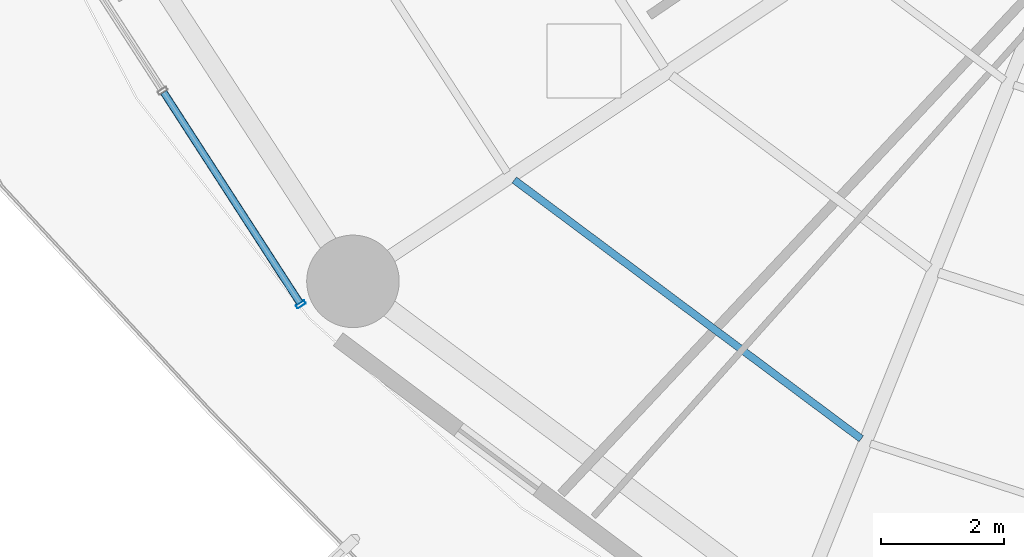
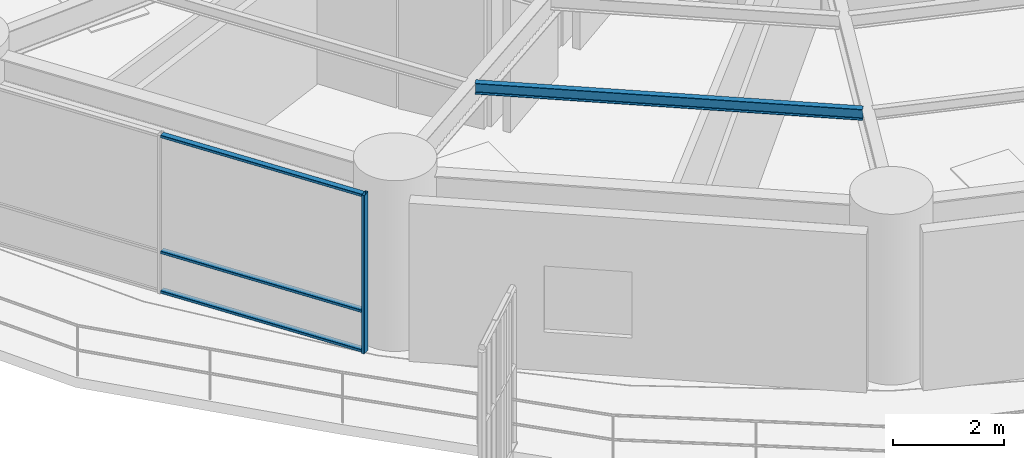
# One storey, part 2 of 34: 4 members, 1 beam, 1 element without a shape of its own.
"""IFC4 building model written with IfcOpenShell, lengths in metres."""

from ifc_helpers import new_model, si_unit, direction, frame, origin, origin_2d, place, context, subcontext, project, spatial, hollow_rectangle, i_section, extrude, material, layer, layer_set, material_profile, profile_set, type_object, element, aggregate, save


model = new_model("IFC4")

# Units and contexts
model_context = context("Model", 3, precision=1e-05, world=origin(), true_north=direction((0.0, 1.0)))
body_context = subcontext(model_context, "Body", "Model", "MODEL_VIEW")
ifc_project = project(units=[si_unit("LENGTHUNIT", "METRE"), si_unit("AREAUNIT", "SQUARE_METRE"), si_unit("VOLUMEUNIT", "CUBIC_METRE"), si_unit("PLANEANGLEUNIT", "RADIAN"), si_unit("MASSUNIT", "GRAM", prefix="KILO")], contexts=[model_context])

# Site, building, storey
site_placement = place(None, origin())
site = spatial("IfcSite", under=ifc_project, at=site_placement, CompositionType="ELEMENT")
building_placement = place(site_placement, origin())
building = spatial("IfcBuilding", under=site, at=building_placement, Name="Kelanora Arch Commons", CompositionType="ELEMENT")
storey_placement = place(building_placement, frame((0.0, 0.0, 30.0)))
storey = spatial("IfcBuildingStorey", under=building, at=storey_placement, Name="L07", CompositionType="ELEMENT", Elevation=30.0)

# Beam
ifc_material_1 = material(Name="Steel S355", Category="steel")
ifc_material_profile_1 = material_profile(ifc_material_1, i_section(OverallWidth=0.1201171875, OverallDepth=0.239990234375, WebThickness=0.006103515625, FlangeThickness=0.009765625, FilletRadius=0.014892578125, at=origin_2d()), Name="IPE240")
ifc_profile_set_1 = profile_set([ifc_material_profile_1], Name="Steel S355")
beam_type = type_object("IfcBeamType", Name="BM-JST-02", PredefinedType="JOIST", material=ifc_profile_set_1)
beam_placement = place(storey_placement, frame((55.87255859375, 44.16650390625, 3.3701171875), z_axis=(0.80149131963, -0.598006408459, 0.0), x_axis=(0.598006408459, 0.80149131963, 0.0)))
element("IfcBeam", 1, at=beam_placement, inside=storey, type_object=beam_type, Name="Secondary Chord Joist BJC-22 L07", PredefinedType="JOIST", context=body_context, shape_type="SweptSolid", body=[
    extrude(i_section(OverallWidth=0.1201171875, OverallDepth=0.239990234375, WebThickness=0.006103515625, FlangeThickness=0.009765625, FilletRadius=0.014892578125, at=origin_2d()), origin(), (0.0, 0.0, 1.0), 7.021240234375),
])

# Curtain wall, members
ifc_material_2 = material(Name="Terracotta ceramic-fritted low-E glass and aluminium", Category="masonry")
ifc_layer = layer(ifc_material_2, 0.159912109375)
ifc_layer_set = layer_set([ifc_layer], Name="Terracotta ceramic-fritted low-E glass and aluminium")
curtain_wall_type = type_object("IfcCurtainWallType", Name="CW-SYS-01", PredefinedType="NOTDEFINED", material=ifc_layer_set)
curtain_wall_placement = place(storey_placement, origin())
curtain_wall = element("IfcCurtainWall", 2, at=curtain_wall_placement, inside=storey, type_object=curtain_wall_type, Name="Unitised Curtain Wall L07-B10", PredefinedType="NOTDEFINED")
ifc_material_3 = material(Name="Powder-coated aluminium terracotta", Category="masonry")
ifc_material_profile_2 = material_profile(ifc_material_3, hollow_rectangle(XDim=0.159912109375, YDim=0.06005859375, WallThickness=0.0048828125, InnerFilletRadius=0.0048828125, OuterFilletRadius=0.010009765625, at=origin_2d()), Name="CWM160x60")
ifc_profile_set_2 = profile_set([ifc_material_profile_2], Name="Powder-coated aluminium terracotta")
member_type_1 = type_object("IfcMemberType", Name="CWM-STD", PredefinedType="MULLION", material=ifc_profile_set_2)
member_1_placement = place(storey_placement, frame((52.41064453125, 42.14697265625, 0.0), z_axis=(0.0, 0.0, 1.0), x_axis=(0.83972982332, 0.543004441812, 0.0)))
member_1 = element("IfcMember", 3, at=member_1_placement, type_object=member_type_1, Name="CW-01 mullion 3", PredefinedType="MULLION", context=body_context, shape_type="SweptSolid", body=[
    extrude(hollow_rectangle(XDim=0.159912109375, YDim=0.06005859375, WallThickness=0.0048828125, InnerFilletRadius=0.0048828125, OuterFilletRadius=0.010009765625, at=origin_2d()), origin(), (0.0, 0.0, 1.0), 3.47509765625),
])
ifc_material_profile_3 = material_profile(ifc_material_3, hollow_rectangle(XDim=0.1201171875, YDim=0.06005859375, WallThickness=0.0048828125, InnerFilletRadius=0.0048828125, OuterFilletRadius=0.010009765625, at=origin_2d()), Name="CWT120x60")
ifc_profile_set_3 = profile_set([ifc_material_profile_3], Name="Powder-coated aluminium terracotta")
member_type_2 = type_object("IfcMemberType", Name="CWT-STD", PredefinedType="USERDEFINED", material=ifc_profile_set_3)
member_2_placement = place(storey_placement, frame((50.185546875, 45.588134765625, 0.030029296875), z_axis=(0.542997414293, -0.839734367566, 0.0), x_axis=(0.839734367566, 0.542997414293, 0.0)))
member_2 = element("IfcMember", 4, at=member_2_placement, type_object=member_type_2, Name="CW-01 transom 2.1", ObjectType="TRANSOM", PredefinedType="USERDEFINED", context=body_context, shape_type="SweptSolid", body=[
    extrude(hollow_rectangle(XDim=0.1201171875, YDim=0.06005859375, WallThickness=0.0048828125, InnerFilletRadius=0.0048828125, OuterFilletRadius=0.010009765625, at=origin_2d()), origin(), (0.0, 0.0, 1.0), 4.067626953125),
])
member_3_placement = place(storey_placement, frame((50.185546875, 45.588134765625, 0.89990234375), z_axis=(0.542997414293, -0.839734367566, 0.0), x_axis=(0.839734367566, 0.542997414293, 0.0)))
member_3 = element("IfcMember", 5, at=member_3_placement, type_object=member_type_2, Name="CW-01 transom 2.2", ObjectType="TRANSOM", PredefinedType="USERDEFINED", context=body_context, shape_type="SweptSolid", body=[
    extrude(hollow_rectangle(XDim=0.1201171875, YDim=0.06005859375, WallThickness=0.0048828125, InnerFilletRadius=0.0048828125, OuterFilletRadius=0.010009765625, at=origin_2d()), origin(), (0.0, 0.0, 1.0), 4.067626953125),
])
member_4_placement = place(storey_placement, frame((50.185546875, 45.588134765625, 3.445068359375), z_axis=(0.542997414293, -0.839734367566, 0.0), x_axis=(0.839734367566, 0.542997414293, 0.0)))
member_4 = element("IfcMember", 6, at=member_4_placement, type_object=member_type_2, Name="CW-01 transom 2.3", ObjectType="TRANSOM", PredefinedType="USERDEFINED", context=body_context, shape_type="SweptSolid", body=[
    extrude(hollow_rectangle(XDim=0.1201171875, YDim=0.06005859375, WallThickness=0.0048828125, InnerFilletRadius=0.0048828125, OuterFilletRadius=0.010009765625, at=origin_2d()), origin(), (0.0, 0.0, 1.0), 4.067626953125),
])
aggregate(curtain_wall, [member_1, member_2, member_3, member_4])

save(model, "model.ifc")
